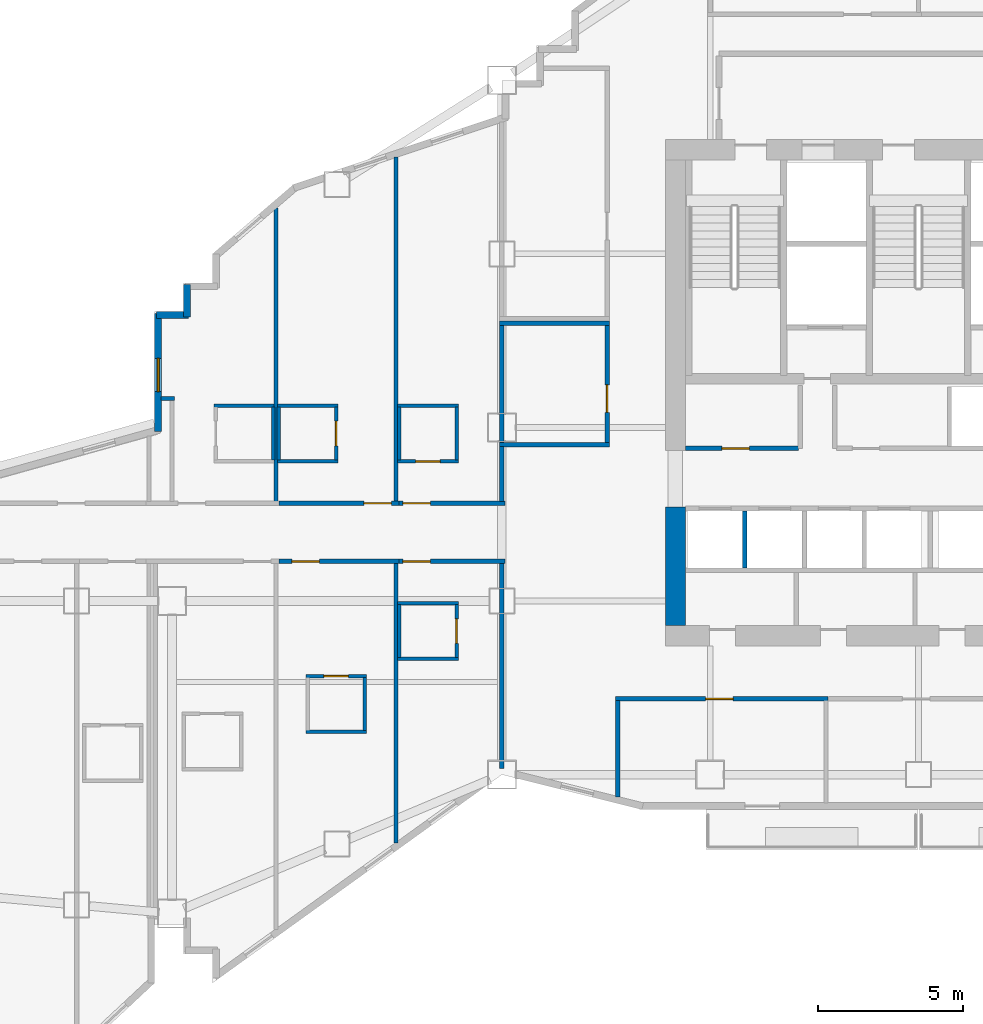
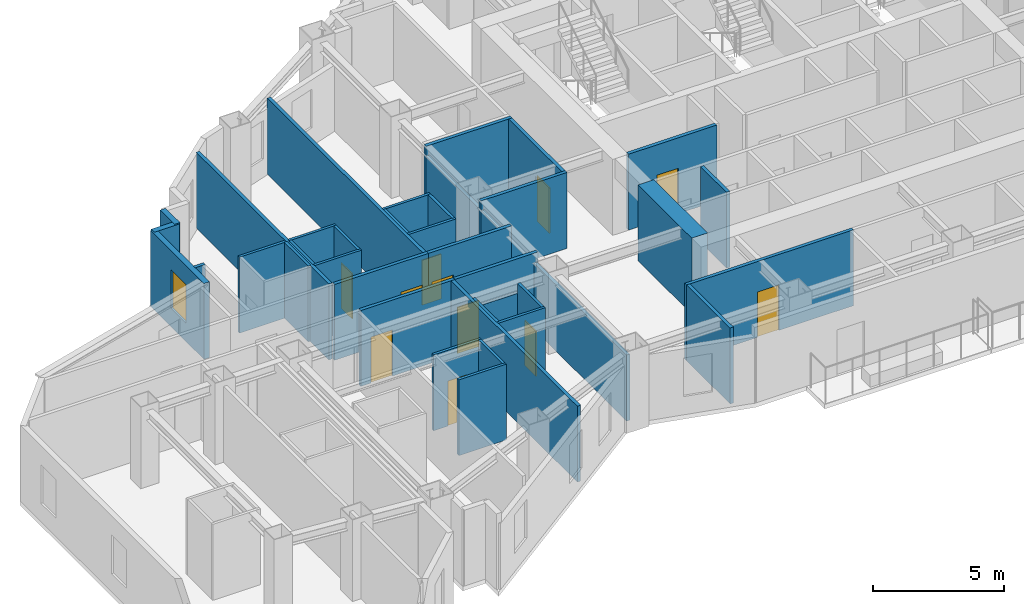
# One storey, part 8 of 15: 39 walls, 11 doors, 1 window, 12 openings.
"""IFC4 building model written with IfcOpenShell, lengths in metres."""

from ifc_helpers import new_model, si_unit, direction, frame, frame_2d, origin, place, context, subcontext, project, spatial, rectangle, extrude, material, layer, layer_set, type_object, element, fill, save


model = new_model("IFC4")

# Units and contexts
model_context = context("Model", 3, precision=1e-05, world=origin(), true_north=direction((0.0, 1.0)))
body_context = subcontext(model_context, "Body", "Model", "MODEL_VIEW")
ifc_project = project(units=[si_unit("LENGTHUNIT", "METRE"), si_unit("AREAUNIT", "SQUARE_METRE"), si_unit("VOLUMEUNIT", "CUBIC_METRE"), si_unit("PLANEANGLEUNIT", "RADIAN"), si_unit("MASSUNIT", "GRAM", prefix="KILO")], contexts=[model_context])

# Site, building, storey
site_placement = place(None, origin())
site = spatial("IfcSite", under=ifc_project, at=site_placement, CompositionType="ELEMENT")
building_placement = place(site_placement, origin())
building = spatial("IfcBuilding", under=site, at=building_placement, Name="Haolan Belvedere Tower", CompositionType="ELEMENT")
storey_placement = place(building_placement, frame((0.0, 0.0, 156.199951171875)))
storey = spatial("IfcBuildingStorey", under=building, at=storey_placement, Name="L39", CompositionType="ELEMENT", Elevation=156.199951171875)

# Walls
ifc_material_1 = material(Name="Concrete C60/75", Category="concrete")
ifc_layer_1 = layer(ifc_material_1, 0.699951171875, Name="Concrete C60/75")
ifc_layer_set_1 = layer_set([ifc_layer_1], Name="Concrete C60/75")
wall_type_1 = type_object("IfcWallType", Name="WL-CORE-700", PredefinedType="SHEAR", material=ifc_layer_set_1)
wall_1_placement = place(storey_placement, frame((30.0, 26.75, 0.0), z_axis=(0.0, 0.0, 1.0), x_axis=(0.0, 1.0, 0.0)))
element("IfcWall", 1, at=wall_1_placement, inside=storey, type_object=wall_type_1, Name="L39 central core shear wall WS", PredefinedType="SHEAR", context=body_context, shape_type="SweptSolid", body=[
    extrude(rectangle(XDim=4.10009765625, YDim=0.699951171875, at=frame_2d((2.050048828125, 0.0))), origin(), (0.0, 0.0, 1.0), 3.5400390625),
])
ifc_material_2 = material(Name="Precast concrete C40/50", Category="concrete")
ifc_layer_2 = layer(ifc_material_2, 0.239990234375, Name="Precast concrete C40/50")
ifc_layer_set_2 = layer_set([ifc_layer_2], Name="Precast concrete C40/50")
wall_type_2 = type_object("IfcWallType", Name="WL-EXT-240", PredefinedType="SOLIDWALL", material=ifc_layer_set_2)
wall_2_placement = place(storey_placement, frame((13.1201171875, 38.534912109375, 0.0), z_axis=(0.0, 0.0, 1.0), x_axis=(0.0, -1.0, 0.0)))
element("IfcWall", 2, at=wall_2_placement, inside=storey, type_object=wall_type_2, Name="L39 pale-metal exterior spandrel wall 39.1", PredefinedType="SOLIDWALL", context=body_context, shape_type="SweptSolid", body=[
    extrude(rectangle(XDim=1.10986328125, YDim=0.239990234375, at=frame_2d((0.554931640625, 0.0))), origin(), (0.0, 0.0, 1.0), 3.5400390625),
])
wall_3_placement = place(storey_placement, frame((13.175048828125, 37.47998046875, 0.0), z_axis=(0.0, 0.0, 1.0), x_axis=(-1.0, 0.0, 0.0)))
element("IfcWall", 3, at=wall_3_placement, inside=storey, type_object=wall_type_2, Name="L39 pale-metal exterior spandrel wall 40.1", PredefinedType="SOLIDWALL", context=body_context, shape_type="SweptSolid", body=[
    extrude(rectangle(XDim=1.110107421875, YDim=0.239990234375, at=frame_2d((0.55517578125, 0.0))), origin(), (0.0, 0.0, 1.0), 3.5400390625),
])

# Wall, opening, window
wall_4_placement = place(storey_placement, frame((12.1201171875, 37.534912109375, 0.0), z_axis=(0.0, 0.0, 1.0), x_axis=(0.0, -1.0, 0.0)))
wall_4 = element("IfcWall", 4, at=wall_4_placement, inside=storey, type_object=wall_type_2, Name="L39 pale-metal exterior spandrel wall 41.1", PredefinedType="SOLIDWALL", context=body_context, shape_type="SweptSolid", body=[
    extrude(rectangle(XDim=4.0810546875, YDim=0.239990234375, at=frame_2d((2.04052734375, 0.0))), origin(), (0.0, 0.0, 1.0), 3.5400390625),
])
opening_1_placement = place(wall_4_placement, frame((1.550048828125, 0.0, 0.85009765625)))
opening_1 = element("IfcOpeningElement", 5, at=opening_1_placement, cuts=wall_4, Name="Opening W-02", PredefinedType="OPENING", context=body_context, shape_type="SweptSolid", body=[
    extrude(rectangle(XDim=1.14990234375, YDim=1.800048828125, at=frame_2d((0.574951171875, 0.89990234375))), frame((0.0, 0.1298828125, 0.0), z_axis=(0.0, -1.0, 0.0), x_axis=(1.0, 0.0, 0.0)), (0.0, 0.0, 1.0), 0.260009765625),
])
ifc_material_3 = material(Name="Anodised aluminium 6063-T6 and Low-E glass", Category="aluminium")
window_type = type_object("IfcWindowType", Name="WN-DECO-Z2", PartitioningType="SINGLE_PANEL", PredefinedType="WINDOW", material=ifc_material_3)
window_placement = place(opening_1_placement, origin())
window = element("IfcWindow", 6, at=window_placement, inside=storey, type_object=window_type, Name="L39 Art Deco chevron window 1", OverallHeight=1.800048828125, OverallWidth=1.14990234375, PartitioningType="SINGLE_PANEL", PredefinedType="WINDOW", context=body_context, shape_type="SweptSolid", body=[
    extrude(rectangle(XDim=1.14990234375, YDim=1.800048828125, at=frame_2d((0.574951171875, 0.89990234375))), frame((0.0, 0.030029296875, 0.0), z_axis=(0.0, -1.0, 0.0), x_axis=(1.0, 0.0, 0.0)), (0.0, 0.0, 1.0), 0.06005859375),
])
fill(opening_1, window)

# Walls
ifc_material_4 = material(Name="Double gypsum acoustic stud partition", Category="masonry")
ifc_layer_3 = layer(ifc_material_4, 0.14990234375, Name="Double gypsum acoustic stud partition")
ifc_layer_set_3 = layer_set([ifc_layer_3], Name="Double gypsum acoustic stud partition")
wall_type_3 = type_object("IfcWallType", Name="WL-PART-150", PredefinedType="PARTITIONING", material=ifc_layer_set_3)
for number, where, z_axis, x_axis, name in (
    (7, (23.919921875, 37.199951171875, 0.0), (0.0, 0.0, 1.0), (1.0, 0.0, 0.0), "L39 interior partition IW-L39-HSK-N"),
    (8, (23.919921875, 33.0, 0.0), (0.0, 0.0, 1.0), (1.0, 0.0, 0.0), "L39 interior partition IW-L39-HSK-S"),
):
    element("IfcWall", number, at=place(storey_placement, frame(where, z_axis=z_axis, x_axis=x_axis)), inside=storey, type_object=wall_type_3, Name=name, PredefinedType="PARTITIONING", context=body_context, shape_type="SweptSolid", body=[
        extrude(rectangle(XDim=3.800048828125, YDim=0.14990234375, at=frame_2d((1.89990234375, 0.0))), origin(), (0.0, 0.0, 1.0), 3.5400390625),
    ])
wall_5_placement = place(storey_placement, frame((24.0, 33.06005859375, 0.0), z_axis=(0.0, 0.0, 1.0), x_axis=(0.0, 1.0, 0.0)))
element("IfcWall", 9, at=wall_5_placement, inside=storey, type_object=wall_type_3, Name="L39 interior partition IW-L39-HSK-W", PredefinedType="PARTITIONING", context=body_context, shape_type="SweptSolid", body=[
    extrude(rectangle(XDim=4.079833984375, YDim=0.14990234375, at=frame_2d((2.0400390625, 0.0))), origin(), (0.0, 0.0, 1.0), 3.0849609375),
])

# Wall, opening, door
wall_6_placement = place(storey_placement, frame((27.639892578125, 33.06005859375, 0.0), z_axis=(0.0, 0.0, 1.0), x_axis=(0.0, 1.0, 0.0)))
wall_6 = element("IfcWall", 10, at=wall_6_placement, inside=storey, type_object=wall_type_3, Name="L39 interior partition IW-L39-HSK-E", PredefinedType="PARTITIONING", context=body_context, shape_type="SweptSolid", body=[
    extrude(rectangle(XDim=4.079833984375, YDim=0.14990234375, at=frame_2d((2.0400390625, 0.0))), origin(), (0.0, 0.0, 1.0), 3.5400390625),
])
opening_2_placement = place(wall_6_placement, frame((2.010009765625, 0.0, 0.0), z_axis=(0.0, 0.0, 1.0), x_axis=(-1.0, 0.0, 0.0)))
opening_2 = element("IfcOpeningElement", 11, at=opening_2_placement, cuts=wall_6, Name="Opening ID-03", PredefinedType="OPENING", context=body_context, shape_type="SweptSolid", body=[
    extrude(rectangle(XDim=0.949951171875, YDim=2.1201171875, at=frame_2d((0.47509765625, 1.06005859375))), frame((0.0, 0.0849609375, 0.0), z_axis=(0.0, -1.0, 0.0), x_axis=(1.0, 0.0, 0.0)), (0.0, 0.0, 1.0), 0.169921875),
])
ifc_material_5 = material(Name="Painted solid-core timber", Category="wood")
door_type_1 = type_object("IfcDoorType", Name="DR-INT-950", OperationType="NOTDEFINED", PredefinedType="DOOR", material=ifc_material_5)
door_1_placement = place(opening_2_placement, origin())
door_1 = element("IfcDoor", 12, at=door_1_placement, inside=storey, type_object=door_type_1, Name="L39 door ID-L39-HSK", OperationType="SINGLE_SWING_LEFT", OverallHeight=2.1201171875, OverallWidth=0.949951171875, PredefinedType="DOOR", context=body_context, shape_type="SweptSolid", body=[
    extrude(rectangle(XDim=0.949951171875, YDim=2.1201171875, at=frame_2d((0.47509765625, 1.06005859375))), frame((0.0, 0.02490234375, 0.0), z_axis=(0.0, -1.0, 0.0), x_axis=(1.0, 0.0, 0.0)), (0.0, 0.0, 1.0), 0.050048828125),
])
fill(opening_2, door_1)

wall_7_placement = place(storey_placement, frame((27.919921875, 24.219970703125, 0.0), z_axis=(0.0, 0.0, 1.0), x_axis=(1.0, 0.0, 0.0)))
wall_7 = element("IfcWall", 13, at=wall_7_placement, inside=storey, type_object=wall_type_3, Name="L39 interior partition IW-L39-KS2-N", PredefinedType="PARTITIONING", context=body_context, shape_type="SweptSolid", body=[
    extrude(rectangle(XDim=7.360107421875, YDim=0.14990234375, at=frame_2d((3.68017578125, 0.0))), origin(), (0.0, 0.0, 1.0), 3.5400390625),
])
opening_3_placement = place(wall_7_placement, frame((4.074951171875, 0.0, 0.0), z_axis=(0.0, 0.0, 1.0), x_axis=(-1.0, 0.0, 0.0)))
opening_3 = element("IfcOpeningElement", 14, at=opening_3_placement, cuts=wall_7, Name="Opening ID-03", PredefinedType="OPENING", context=body_context, shape_type="SweptSolid", body=[
    extrude(rectangle(XDim=0.949951171875, YDim=2.1201171875, at=frame_2d((0.47509765625, 1.06005859375))), frame((0.0, 0.0849609375, 0.0), z_axis=(0.0, -1.0, 0.0), x_axis=(1.0, 0.0, 0.0)), (0.0, 0.0, 1.0), 0.169921875),
])
door_2_placement = place(opening_3_placement, origin())
door_2 = element("IfcDoor", 15, at=door_2_placement, inside=storey, type_object=door_type_1, Name="L39 door ID-L39-KS2", OperationType="SINGLE_SWING_RIGHT", OverallHeight=2.1201171875, OverallWidth=0.949951171875, PredefinedType="DOOR", context=body_context, shape_type="SweptSolid", body=[
    extrude(rectangle(XDim=0.949951171875, YDim=2.1201171875, at=frame_2d((0.47509765625, 1.06005859375))), frame((0.0, 0.02490234375, 0.0), z_axis=(0.0, -1.0, 0.0), x_axis=(1.0, 0.0, 0.0)), (0.0, 0.0, 1.0), 0.050048828125),
])
fill(opening_3, door_2)

# Walls
wall_8_placement = place(storey_placement, frame((28.0, 20.83203125, 0.0), z_axis=(0.0, 0.0, 1.0), x_axis=(0.0, 1.0, 0.0)))
element("IfcWall", 16, at=wall_8_placement, inside=storey, type_object=wall_type_3, Name="L39 interior partition IW-L39-KS2-W", PredefinedType="PARTITIONING", context=body_context, shape_type="SweptSolid", body=[
    extrude(rectangle(XDim=3.327880859375, YDim=0.14990234375, at=frame_2d((1.6640625, 0.0))), origin(), (0.0, 0.0, 1.0), 3.5400390625),
])
wall_9_placement = place(storey_placement, frame((16.18994140625, 31.0400390625, 0.0), z_axis=(0.0, 0.0, 1.0), x_axis=(0.0, 1.0, 0.0)))
element("IfcWall", 17, at=wall_9_placement, inside=storey, type_object=wall_type_3, Name="L39 interior partition IW-L39-T2N1-E", PredefinedType="PARTITIONING", context=body_context, shape_type="SweptSolid", body=[
    extrude(rectangle(XDim=10.140869140625, YDim=0.14990234375, at=frame_2d((5.0703125, 0.0))), origin(), (0.0, 0.0, 1.0), 3.5400390625),
])

# Wall, opening, door
wall_10_placement = place(storey_placement, frame((16.2919921875, 30.97998046875, 0.0), z_axis=(0.0, 0.0, 1.0), x_axis=(1.0, 0.0, 0.0)))
wall_10 = element("IfcWall", 18, at=wall_10_placement, inside=storey, type_object=wall_type_3, Name="L39 interior partition IW-L39-T2N2-S", PredefinedType="PARTITIONING", context=body_context, shape_type="SweptSolid", body=[
    extrude(rectangle(XDim=4.14794921875, YDim=0.14990234375, at=frame_2d((2.073974609375, 0.0))), origin(), (0.0, 0.0, 1.0), 3.5400390625),
])
opening_4_placement = place(wall_10_placement, frame((2.935302734375, 0.0, 0.0)))
opening_4 = element("IfcOpeningElement", 19, at=opening_4_placement, cuts=wall_10, Name="Opening ID-02", PredefinedType="OPENING", context=body_context, shape_type="SweptSolid", body=[
    extrude(rectangle(XDim=0.949951171875, YDim=2.14990234375, at=frame_2d((0.47509765625, 1.074951171875))), frame((0.0, 0.0849609375, 0.0), z_axis=(0.0, -1.0, 0.0), x_axis=(1.0, 0.0, 0.0)), (0.0, 0.0, 1.0), 0.169921875),
])
ifc_material_6 = material(Name="Acoustic oak veneer fire-rated timber", Category="wood")
door_type_2 = type_object("IfcDoorType", Name="DR-GUEST-950", OperationType="NOTDEFINED", PredefinedType="DOOR", material=ifc_material_6)
door_3_placement = place(opening_4_placement, origin())
door_3 = element("IfcDoor", 20, at=door_3_placement, inside=storey, type_object=door_type_2, Name="L39 door ID-L39-T2N2-ENT", OperationType="SINGLE_SWING_RIGHT", OverallHeight=2.14990234375, OverallWidth=0.949951171875, PredefinedType="DOOR", context=body_context, shape_type="SweptSolid", body=[
    extrude(rectangle(XDim=0.949951171875, YDim=2.14990234375, at=frame_2d((0.47509765625, 1.074951171875))), frame((0.0, 0.02490234375, 0.0), z_axis=(0.0, -1.0, 0.0), x_axis=(1.0, 0.0, 0.0)), (0.0, 0.0, 1.0), 0.050048828125),
])
fill(opening_4, door_3)

# Wall
wall_11_placement = place(storey_placement, frame((20.340087890625, 31.0400390625, 0.0), z_axis=(0.0, 0.0, 1.0), x_axis=(0.0, 1.0, 0.0)))
element("IfcWall", 21, at=wall_11_placement, inside=storey, type_object=wall_type_3, Name="L39 interior partition IW-L39-T2N2-E", PredefinedType="PARTITIONING", context=body_context, shape_type="SweptSolid", body=[
    extrude(rectangle(XDim=11.90283203125, YDim=0.14990234375, at=frame_2d((5.951416015625, 0.0))), origin(), (0.0, 0.0, 1.0), 3.5400390625),
])

# Wall, opening, door
wall_12_placement = place(storey_placement, frame((20.44189453125, 30.97998046875, 0.0), z_axis=(0.0, 0.0, 1.0), x_axis=(1.0, 0.0, 0.0)))
wall_12 = element("IfcWall", 22, at=wall_12_placement, inside=storey, type_object=wall_type_3, Name="L39 interior partition IW-L39-T2N3-S", PredefinedType="PARTITIONING", context=body_context, shape_type="SweptSolid", body=[
    extrude(rectangle(XDim=3.658203125, YDim=0.14990234375, at=frame_2d((1.8291015625, 0.0))), origin(), (0.0, 0.0, 1.0), 3.5400390625),
])
opening_5_placement = place(wall_12_placement, frame((0.139892578125, 0.0, 0.0)))
opening_5 = element("IfcOpeningElement", 23, at=opening_5_placement, cuts=wall_12, Name="Opening ID-02", PredefinedType="OPENING", context=body_context, shape_type="SweptSolid", body=[
    extrude(rectangle(XDim=0.949951171875, YDim=2.14990234375, at=frame_2d((0.47509765625, 1.074951171875))), frame((0.0, 0.0849609375, 0.0), z_axis=(0.0, -1.0, 0.0), x_axis=(1.0, 0.0, 0.0)), (0.0, 0.0, 1.0), 0.169921875),
])
door_4_placement = place(opening_5_placement, origin())
door_4 = element("IfcDoor", 24, at=door_4_placement, inside=storey, type_object=door_type_2, Name="L39 door ID-L39-T2N3-ENT", OperationType="SINGLE_SWING_LEFT", OverallHeight=2.14990234375, OverallWidth=0.949951171875, PredefinedType="DOOR", context=body_context, shape_type="SweptSolid", body=[
    extrude(rectangle(XDim=0.949951171875, YDim=2.14990234375, at=frame_2d((0.47509765625, 1.074951171875))), frame((0.0, 0.02490234375, 0.0), z_axis=(0.0, -1.0, 0.0), x_axis=(1.0, 0.0, 0.0)), (0.0, 0.0, 1.0), 0.050048828125),
])
fill(opening_5, door_4)

# Wall
wall_13_placement = place(storey_placement, frame((24.0, 31.0400390625, 0.0), z_axis=(0.0, 0.0, 1.0), x_axis=(0.0, 1.0, 0.0)))
element("IfcWall", 25, at=wall_13_placement, inside=storey, type_object=wall_type_3, Name="L39 interior partition IW-L39-T2N3-E", PredefinedType="PARTITIONING", context=body_context, shape_type="SweptSolid", body=[
    extrude(rectangle(XDim=1.89990234375, YDim=0.14990234375, at=frame_2d((0.949951171875, 0.0))), origin(), (0.0, 0.0, 1.0), 3.0849609375),
])

# Wall, opening, door
wall_14_placement = place(storey_placement, frame((16.2919921875, 28.969970703125, 0.0), z_axis=(0.0, 0.0, 1.0), x_axis=(1.0, 0.0, 0.0)))
wall_14 = element("IfcWall", 26, at=wall_14_placement, inside=storey, type_object=wall_type_3, Name="L39 interior partition IW-L39-T2S2-N", PredefinedType="PARTITIONING", context=body_context, shape_type="SweptSolid", body=[
    extrude(rectangle(XDim=4.14794921875, YDim=0.14990234375, at=frame_2d((2.073974609375, 0.0))), origin(), (0.0, 0.0, 1.0), 3.5400390625),
])
opening_6_placement = place(wall_14_placement, frame((1.395751953125, 0.0, 0.0), z_axis=(0.0, 0.0, 1.0), x_axis=(-1.0, 0.0, 0.0)))
opening_6 = element("IfcOpeningElement", 27, at=opening_6_placement, cuts=wall_14, Name="Opening ID-02", PredefinedType="OPENING", context=body_context, shape_type="SweptSolid", body=[
    extrude(rectangle(XDim=0.949951171875, YDim=2.14990234375, at=frame_2d((0.47509765625, 1.074951171875))), frame((0.0, 0.0849609375, 0.0), z_axis=(0.0, -1.0, 0.0), x_axis=(1.0, 0.0, 0.0)), (0.0, 0.0, 1.0), 0.169921875),
])
door_5_placement = place(opening_6_placement, origin())
door_5 = element("IfcDoor", 28, at=door_5_placement, inside=storey, type_object=door_type_2, Name="L39 door ID-L39-T2S2-ENT", OperationType="SINGLE_SWING_LEFT", OverallHeight=2.14990234375, OverallWidth=0.949951171875, PredefinedType="DOOR", context=body_context, shape_type="SweptSolid", body=[
    extrude(rectangle(XDim=0.949951171875, YDim=2.14990234375, at=frame_2d((0.47509765625, 1.074951171875))), frame((0.0, 0.02490234375, 0.0), z_axis=(0.0, -1.0, 0.0), x_axis=(1.0, 0.0, 0.0)), (0.0, 0.0, 1.0), 0.050048828125),
])
fill(opening_6, door_5)

# Wall
wall_15_placement = place(storey_placement, frame((20.340087890625, 19.241943359375, 0.0), z_axis=(0.0, 0.0, 1.0), x_axis=(0.0, 1.0, 0.0)))
element("IfcWall", 29, at=wall_15_placement, inside=storey, type_object=wall_type_3, Name="L39 interior partition IW-L39-T2S2-E", PredefinedType="PARTITIONING", context=body_context, shape_type="SweptSolid", body=[
    extrude(rectangle(XDim=9.66796875, YDim=0.14990234375, at=frame_2d((4.833984375, 0.0))), origin(), (0.0, 0.0, 1.0), 3.5400390625),
])

# Wall, opening, door
wall_16_placement = place(storey_placement, frame((20.44189453125, 28.969970703125, 0.0), z_axis=(0.0, 0.0, 1.0), x_axis=(1.0, 0.0, 0.0)))
wall_16 = element("IfcWall", 30, at=wall_16_placement, inside=storey, type_object=wall_type_3, Name="L39 interior partition IW-L39-T2S3-N", PredefinedType="PARTITIONING", context=body_context, shape_type="SweptSolid", body=[
    extrude(rectangle(XDim=3.658203125, YDim=0.14990234375, at=frame_2d((1.8291015625, 0.0))), origin(), (0.0, 0.0, 1.0), 3.5400390625),
])
opening_7_placement = place(wall_16_placement, frame((1.08984375, 0.0, 0.0), z_axis=(0.0, 0.0, 1.0), x_axis=(-1.0, 0.0, 0.0)))
opening_7 = element("IfcOpeningElement", 31, at=opening_7_placement, cuts=wall_16, Name="Opening ID-02", PredefinedType="OPENING", context=body_context, shape_type="SweptSolid", body=[
    extrude(rectangle(XDim=0.949951171875, YDim=2.14990234375, at=frame_2d((0.47509765625, 1.074951171875))), frame((0.0, 0.0849609375, 0.0), z_axis=(0.0, -1.0, 0.0), x_axis=(1.0, 0.0, 0.0)), (0.0, 0.0, 1.0), 0.169921875),
])
door_6_placement = place(opening_7_placement, origin())
door_6 = element("IfcDoor", 32, at=door_6_placement, inside=storey, type_object=door_type_2, Name="L39 door ID-L39-T2S3-ENT", OperationType="SINGLE_SWING_RIGHT", OverallHeight=2.14990234375, OverallWidth=0.949951171875, PredefinedType="DOOR", context=body_context, shape_type="SweptSolid", body=[
    extrude(rectangle(XDim=0.949951171875, YDim=2.14990234375, at=frame_2d((0.47509765625, 1.074951171875))), frame((0.0, 0.02490234375, 0.0), z_axis=(0.0, -1.0, 0.0), x_axis=(1.0, 0.0, 0.0)), (0.0, 0.0, 1.0), 0.050048828125),
])
fill(opening_7, door_6)

# Walls
wall_17_placement = place(storey_placement, frame((24.0, 21.818603515625, 0.0), z_axis=(0.0, 0.0, 1.0), x_axis=(0.0, 1.0, 0.0)))
element("IfcWall", 33, at=wall_17_placement, inside=storey, type_object=wall_type_3, Name="L39 interior partition IW-L39-T2S3-E", PredefinedType="PARTITIONING", context=body_context, shape_type="SweptSolid", body=[
    extrude(rectangle(XDim=7.09130859375, YDim=0.14990234375, at=frame_2d((3.545654296875, 0.0))), origin(), (0.0, 0.0, 1.0), 3.0849609375),
])
wall_18_placement = place(storey_placement, frame((12.22509765625, 34.60009765625, 0.0), z_axis=(0.0, 0.0, 1.0), x_axis=(1.0, 0.0, 0.0)))
element("IfcWall", 34, at=wall_18_placement, inside=storey, type_object=wall_type_3, Name="L39 interior partition IW-L39-T1N1-N", PredefinedType="PARTITIONING", context=body_context, shape_type="SweptSolid", body=[
    extrude(rectangle(XDim=0.454833984375, YDim=0.14990234375, at=frame_2d((0.2275390625, 0.0))), origin(), (0.0, 0.0, 1.0), 3.5400390625),
])

# Wall, opening, door
ifc_material_7 = material(Name="Gypsum fire shaftwall assembly", Category="masonry")
ifc_layer_4 = layer(ifc_material_7, 0.1650390625, Name="Gypsum fire shaftwall assembly")
ifc_layer_set_4 = layer_set([ifc_layer_4], Name="Gypsum fire shaftwall assembly")
wall_type_4 = type_object("IfcWallType", Name="WL-SHAFT-160", PredefinedType="SOLIDWALL", material=ifc_layer_set_4)
wall_19_placement = place(storey_placement, frame((30.35009765625, 32.8798828125, 0.0), z_axis=(0.0, 0.0, 1.0), x_axis=(1.0, 0.0, 0.0)))
wall_19 = element("IfcWall", 35, at=wall_19_placement, inside=storey, type_object=wall_type_4, Name="L39 interior partition IW-L39-ROW-PN1", PredefinedType="SOLIDWALL", context=body_context, shape_type="SweptSolid", body=[
    extrude(rectangle(XDim=3.89990234375, YDim=0.159912109375, at=frame_2d((1.949951171875, 0.0))), origin(), (0.0, 0.0, 1.0), 3.5400390625),
])
opening_8_placement = place(wall_19_placement, frame((2.199951171875, 0.0, 0.0), z_axis=(0.0, 0.0, 1.0), x_axis=(-1.0, 0.0, 0.0)))
opening_8 = element("IfcOpeningElement", 36, at=opening_8_placement, cuts=wall_19, Name="Opening ID-03", PredefinedType="OPENING", context=body_context, shape_type="SweptSolid", body=[
    extrude(rectangle(XDim=0.949951171875, YDim=2.1201171875, at=frame_2d((0.47509765625, 1.06005859375))), frame((0.0, 0.08984375, 0.0), z_axis=(0.0, -1.0, 0.0), x_axis=(1.0, 0.0, 0.0)), (0.0, 0.0, 1.0), 0.179931640625),
])
door_7_placement = place(opening_8_placement, origin())
door_7 = element("IfcDoor", 37, at=door_7_placement, inside=storey, type_object=door_type_1, Name="L39 door ID-L39-CD-RPLW", OperationType="SINGLE_SWING_LEFT", OverallHeight=2.1201171875, OverallWidth=0.949951171875, PredefinedType="DOOR", context=body_context, shape_type="SweptSolid", body=[
    extrude(rectangle(XDim=0.949951171875, YDim=2.1201171875, at=frame_2d((0.47509765625, 1.06005859375))), frame((0.0, 0.02490234375, 0.0), z_axis=(0.0, -1.0, 0.0), x_axis=(1.0, 0.0, 0.0)), (0.0, 0.0, 1.0), 0.050048828125),
])
fill(opening_8, door_7)

# Walls
wall_20_placement = place(storey_placement, frame((32.39990234375, 28.735107421875, 0.0), z_axis=(0.0, 0.0, 1.0), x_axis=(0.0, 1.0, 0.0)))
element("IfcWall", 38, at=wall_20_placement, inside=storey, type_object=wall_type_4, Name="L39 interior partition IW-L39-DIV-PM1", PredefinedType="SOLIDWALL", context=body_context, shape_type="SweptSolid", body=[
    extrude(rectangle(XDim=1.98486328125, YDim=0.14990234375, at=frame_2d((0.992431640625, 0.0))), origin(), (0.0, 0.0, 1.0), 3.5400390625),
])
ifc_material_8 = material(Name="Moisture-resistant gypsum tile partition", Category="masonry")
ifc_layer_5 = layer(ifc_material_8, 0.1201171875, Name="Moisture-resistant gypsum tile partition")
ifc_layer_set_5 = layer_set([ifc_layer_5], Name="Moisture-resistant gypsum tile partition")
wall_type_5 = type_object("IfcWallType", Name="WL-WET-120", PredefinedType="PARTITIONING", material=ifc_layer_set_5)
wall_21_placement = place(storey_placement, frame((14.050048828125, 34.35009765625, 0.0), z_axis=(0.0, 0.0, 1.0), x_axis=(1.0, 0.0, 0.0)))
element("IfcWall", 39, at=wall_21_placement, inside=storey, type_object=wall_type_5, Name="L39 interior partition IW-L39-T2N1-BN", PredefinedType="PARTITIONING", context=body_context, shape_type="SweptSolid", body=[
    extrude(rectangle(XDim=2.079833984375, YDim=0.1201171875, at=frame_2d((1.0400390625, 0.0))), origin(), (0.0, 0.0, 1.0), 3.5400390625),
])
wall_22_placement = place(storey_placement, frame((16.090087890625, 32.47509765625, 0.0), z_axis=(0.0, 0.0, 1.0), x_axis=(0.0, 1.0, 0.0)))
element("IfcWall", 40, at=wall_22_placement, inside=storey, type_object=wall_type_5, Name="L39 interior partition IW-L39-T2N1-BE", PredefinedType="PARTITIONING", context=body_context, shape_type="SweptSolid", body=[
    extrude(rectangle(XDim=1.829833984375, YDim=0.1201171875, at=frame_2d((0.9150390625, 0.0))), origin(), (0.0, 0.0, 1.0), 3.5400390625),
])
for number, where, z_axis, x_axis, name in (
    (41, (16.25, 34.35009765625, 0.0), (0.0, 0.0, 1.0), (1.0, 0.0, 0.0), "L39 interior partition IW-L39-T2N2-BN"),
    (42, (16.25, 32.429931640625, 0.0), (0.0, 0.0, 1.0), (1.0, 0.0, 0.0), "L39 interior partition IW-L39-T2N2-BS"),
):
    element("IfcWall", number, at=place(storey_placement, frame(where, z_axis=z_axis, x_axis=x_axis)), inside=storey, type_object=wall_type_5, Name=name, PredefinedType="PARTITIONING", context=body_context, shape_type="SweptSolid", body=[
        extrude(rectangle(XDim=2.080078125, YDim=0.1201171875, at=frame_2d((1.0400390625, 0.0))), origin(), (0.0, 0.0, 1.0), 3.5400390625),
    ])
wall_23_placement = place(storey_placement, frame((16.2900390625, 32.47509765625, 0.0), z_axis=(0.0, 0.0, 1.0), x_axis=(0.0, 1.0, 0.0)))
element("IfcWall", 43, at=wall_23_placement, inside=storey, type_object=wall_type_5, Name="L39 interior partition IW-L39-T2N2-BW", PredefinedType="PARTITIONING", context=body_context, shape_type="SweptSolid", body=[
    extrude(rectangle(XDim=1.829833984375, YDim=0.1201171875, at=frame_2d((0.9150390625, 0.0))), origin(), (0.0, 0.0, 1.0), 3.5400390625),
])

# Wall, opening, door
wall_24_placement = place(storey_placement, frame((18.27001953125, 32.47509765625, 0.0), z_axis=(0.0, 0.0, 1.0), x_axis=(0.0, 1.0, 0.0)))
wall_24 = element("IfcWall", 44, at=wall_24_placement, inside=storey, type_object=wall_type_5, Name="L39 interior partition IW-L39-T2N2-BE", PredefinedType="PARTITIONING", context=body_context, shape_type="SweptSolid", body=[
    extrude(rectangle(XDim=1.829833984375, YDim=0.1201171875, at=frame_2d((0.9150390625, 0.0))), origin(), (0.0, 0.0, 1.0), 3.5400390625),
])
opening_9_placement = place(wall_24_placement, frame((0.489990234375, 0.0, 0.0)))
opening_9 = element("IfcOpeningElement", 45, at=opening_9_placement, cuts=wall_24, Name="Opening ID-05", PredefinedType="OPENING", context=body_context, shape_type="SweptSolid", body=[
    extrude(rectangle(XDim=0.85009765625, YDim=2.10009765625, at=frame_2d((0.425048828125, 1.050048828125))), frame((0.0, 0.070068359375, 0.0), z_axis=(0.0, -1.0, 0.0), x_axis=(1.0, 0.0, 0.0)), (0.0, 0.0, 1.0), 0.14013671875),
])
ifc_material_9 = material(Name="Moisture-resistant lacquered timber", Category="wood")
door_type_3 = type_object("IfcDoorType", Name="DR-BATH-850", OperationType="NOTDEFINED", PredefinedType="DOOR", material=ifc_material_9)
door_8_placement = place(opening_9_placement, origin())
door_8 = element("IfcDoor", 46, at=door_8_placement, inside=storey, type_object=door_type_3, Name="L39 door ID-L39-T2N2-BATH", OperationType="SINGLE_SWING_LEFT", OverallHeight=2.10009765625, OverallWidth=0.85009765625, PredefinedType="DOOR", context=body_context, shape_type="SweptSolid", body=[
    extrude(rectangle(XDim=0.85009765625, YDim=2.10009765625, at=frame_2d((0.425048828125, 1.050048828125))), frame((0.0, 0.02490234375, 0.0), z_axis=(0.0, -1.0, 0.0), x_axis=(1.0, 0.0, 0.0)), (0.0, 0.0, 1.0), 0.050048828125),
])
fill(opening_9, door_8)

# Wall
wall_25_placement = place(storey_placement, frame((20.39990234375, 34.35009765625, 0.0), z_axis=(0.0, 0.0, 1.0), x_axis=(1.0, 0.0, 0.0)))
element("IfcWall", 47, at=wall_25_placement, inside=storey, type_object=wall_type_5, Name="L39 interior partition IW-L39-T2N3-BN", PredefinedType="PARTITIONING", context=body_context, shape_type="SweptSolid", body=[
    extrude(rectangle(XDim=2.09423828125, YDim=0.1201171875, at=frame_2d((1.047119140625, 0.0))), origin(), (0.0, 0.0, 1.0), 3.5400390625),
])

# Wall, opening, door
wall_26_placement = place(storey_placement, frame((20.39990234375, 32.429931640625, 0.0), z_axis=(0.0, 0.0, 1.0), x_axis=(1.0, 0.0, 0.0)))
wall_26 = element("IfcWall", 48, at=wall_26_placement, inside=storey, type_object=wall_type_5, Name="L39 interior partition IW-L39-T2N3-BS", PredefinedType="PARTITIONING", context=body_context, shape_type="SweptSolid", body=[
    extrude(rectangle(XDim=2.09423828125, YDim=0.1201171875, at=frame_2d((1.047119140625, 0.0))), origin(), (0.0, 0.0, 1.0), 3.5400390625),
])
opening_10_placement = place(wall_26_placement, frame((0.619140625, 0.0, 0.0)))
opening_10 = element("IfcOpeningElement", 49, at=opening_10_placement, cuts=wall_26, Name="Opening ID-05", PredefinedType="OPENING", context=body_context, shape_type="SweptSolid", body=[
    extrude(rectangle(XDim=0.85009765625, YDim=2.10009765625, at=frame_2d((0.425048828125, 1.050048828125))), frame((0.0, 0.070068359375, 0.0), z_axis=(0.0, -1.0, 0.0), x_axis=(1.0, 0.0, 0.0)), (0.0, 0.0, 1.0), 0.14013671875),
])
door_9_placement = place(opening_10_placement, origin())
door_9 = element("IfcDoor", 50, at=door_9_placement, inside=storey, type_object=door_type_3, Name="L39 door ID-L39-T2N3-BATH", OperationType="SINGLE_SWING_RIGHT", OverallHeight=2.10009765625, OverallWidth=0.85009765625, PredefinedType="DOOR", context=body_context, shape_type="SweptSolid", body=[
    extrude(rectangle(XDim=0.85009765625, YDim=2.10009765625, at=frame_2d((0.425048828125, 1.050048828125))), frame((0.0, 0.02490234375, 0.0), z_axis=(0.0, -1.0, 0.0), x_axis=(1.0, 0.0, 0.0)), (0.0, 0.0, 1.0), 0.050048828125),
])
fill(opening_10, door_9)

# Walls
for number, where, z_axis, x_axis, name in (
    (51, (20.4541015625, 32.47509765625, 0.0), (0.0, 0.0, 1.0), (0.0, 1.0, 0.0), "L39 interior partition IW-L39-T2N3-BW"),
    (52, (22.43408203125, 32.47509765625, 0.0), (0.0, 0.0, 1.0), (0.0, 1.0, 0.0), "L39 interior partition IW-L39-T2N3-BE"),
):
    element("IfcWall", number, at=place(storey_placement, frame(where, z_axis=z_axis, x_axis=x_axis)), inside=storey, type_object=wall_type_5, Name=name, PredefinedType="PARTITIONING", context=body_context, shape_type="SweptSolid", body=[
        extrude(rectangle(XDim=1.829833984375, YDim=0.1201171875, at=frame_2d((0.9150390625, 0.0))), origin(), (0.0, 0.0, 1.0), 3.5400390625),
    ])

# Wall, opening, door
wall_27_placement = place(storey_placement, frame((17.222900390625, 25.007080078125, 0.0), z_axis=(0.0, 0.0, 1.0), x_axis=(1.0, 0.0, 0.0)))
wall_27 = element("IfcWall", 53, at=wall_27_placement, inside=storey, type_object=wall_type_5, Name="L39 interior partition IW-L39-T2S2-BN", PredefinedType="PARTITIONING", context=body_context, shape_type="SweptSolid", body=[
    extrude(rectangle(XDim=2.10009765625, YDim=0.1201171875, at=frame_2d((1.050048828125, 0.0))), origin(), (0.0, 0.0, 1.0), 3.5400390625),
])
opening_11_placement = place(wall_27_placement, frame((1.47509765625, 0.0, 0.0), z_axis=(0.0, 0.0, 1.0), x_axis=(-1.0, 0.0, 0.0)))
opening_11 = element("IfcOpeningElement", 54, at=opening_11_placement, cuts=wall_27, Name="Opening ID-05", PredefinedType="OPENING", context=body_context, shape_type="SweptSolid", body=[
    extrude(rectangle(XDim=0.85009765625, YDim=2.10009765625, at=frame_2d((0.425048828125, 1.050048828125))), frame((0.0, 0.070068359375, 0.0), z_axis=(0.0, -1.0, 0.0), x_axis=(1.0, 0.0, 0.0)), (0.0, 0.0, 1.0), 0.14013671875),
])
door_10_placement = place(opening_11_placement, origin())
door_10 = element("IfcDoor", 55, at=door_10_placement, inside=storey, type_object=door_type_3, Name="L39 door ID-L39-T2S2-BATH", OperationType="SINGLE_SWING_RIGHT", OverallHeight=2.10009765625, OverallWidth=0.85009765625, PredefinedType="DOOR", context=body_context, shape_type="SweptSolid", body=[
    extrude(rectangle(XDim=0.85009765625, YDim=2.10009765625, at=frame_2d((0.425048828125, 1.050048828125))), frame((0.0, 0.02490234375, 0.0), z_axis=(0.0, -1.0, 0.0), x_axis=(1.0, 0.0, 0.0)), (0.0, 0.0, 1.0), 0.050048828125),
])
fill(opening_11, door_10)

# Walls
wall_28_placement = place(storey_placement, frame((17.222900390625, 23.0869140625, 0.0), z_axis=(0.0, 0.0, 1.0), x_axis=(1.0, 0.0, 0.0)))
element("IfcWall", 56, at=wall_28_placement, inside=storey, type_object=wall_type_5, Name="L39 interior partition IW-L39-T2S2-BS", PredefinedType="PARTITIONING", context=body_context, shape_type="SweptSolid", body=[
    extrude(rectangle(XDim=2.10009765625, YDim=0.1201171875, at=frame_2d((1.050048828125, 0.0))), origin(), (0.0, 0.0, 1.0), 3.5400390625),
])
wall_29_placement = place(storey_placement, frame((19.262939453125, 23.132080078125, 0.0), z_axis=(0.0, 0.0, 1.0), x_axis=(0.0, 1.0, 0.0)))
element("IfcWall", 57, at=wall_29_placement, inside=storey, type_object=wall_type_5, Name="L39 interior partition IW-L39-T2S2-BE", PredefinedType="PARTITIONING", context=body_context, shape_type="SweptSolid", body=[
    extrude(rectangle(XDim=1.829833984375, YDim=0.1201171875, at=frame_2d((0.9150390625, 0.0))), origin(), (0.0, 0.0, 1.0), 3.5400390625),
])
wall_30_placement = place(storey_placement, frame((20.39990234375, 27.52001953125, 0.0), z_axis=(0.0, 0.0, 1.0), x_axis=(1.0, 0.0, 0.0)))
element("IfcWall", 58, at=wall_30_placement, inside=storey, type_object=wall_type_5, Name="L39 interior partition IW-L39-T2S3-BN", PredefinedType="PARTITIONING", context=body_context, shape_type="SweptSolid", body=[
    extrude(rectangle(XDim=2.09521484375, YDim=0.1201171875, at=frame_2d((1.047607421875, 0.0))), origin(), (0.0, 0.0, 1.0), 3.0849609375),
])
wall_31_placement = place(storey_placement, frame((20.39990234375, 25.60009765625, 0.0), z_axis=(0.0, 0.0, 1.0), x_axis=(1.0, 0.0, 0.0)))
element("IfcWall", 59, at=wall_31_placement, inside=storey, type_object=wall_type_5, Name="L39 interior partition IW-L39-T2S3-BS", PredefinedType="PARTITIONING", context=body_context, shape_type="SweptSolid", body=[
    extrude(rectangle(XDim=2.09521484375, YDim=0.1201171875, at=frame_2d((1.047607421875, 0.0))), origin(), (0.0, 0.0, 1.0), 3.5400390625),
])
wall_32_placement = place(storey_placement, frame((20.455078125, 25.64501953125, 0.0), z_axis=(0.0, 0.0, 1.0), x_axis=(0.0, 1.0, 0.0)))
element("IfcWall", 60, at=wall_32_placement, inside=storey, type_object=wall_type_5, Name="L39 interior partition IW-L39-T2S3-BW", PredefinedType="PARTITIONING", context=body_context, shape_type="SweptSolid", body=[
    extrude(rectangle(XDim=1.830078125, YDim=0.1201171875, at=frame_2d((0.9150390625, 0.0))), origin(), (0.0, 0.0, 1.0), 3.5400390625),
])

# Wall, opening, door
wall_33_placement = place(storey_placement, frame((22.43505859375, 25.64501953125, 0.0), z_axis=(0.0, 0.0, 1.0), x_axis=(0.0, 1.0, 0.0)))
wall_33 = element("IfcWall", 61, at=wall_33_placement, inside=storey, type_object=wall_type_5, Name="L39 interior partition IW-L39-T2S3-BE", PredefinedType="PARTITIONING", context=body_context, shape_type="SweptSolid", body=[
    extrude(rectangle(XDim=1.830078125, YDim=0.1201171875, at=frame_2d((0.9150390625, 0.0))), origin(), (0.0, 0.0, 1.0), 3.5400390625),
])
opening_12_placement = place(wall_33_placement, frame((0.489990234375, 0.0, 0.0)))
opening_12 = element("IfcOpeningElement", 62, at=opening_12_placement, cuts=wall_33, Name="Opening ID-05", PredefinedType="OPENING", context=body_context, shape_type="SweptSolid", body=[
    extrude(rectangle(XDim=0.85009765625, YDim=2.10009765625, at=frame_2d((0.425048828125, 1.050048828125))), frame((0.0, 0.070068359375, 0.0), z_axis=(0.0, -1.0, 0.0), x_axis=(1.0, 0.0, 0.0)), (0.0, 0.0, 1.0), 0.14013671875),
])
door_11_placement = place(opening_12_placement, origin())
door_11 = element("IfcDoor", 63, at=door_11_placement, inside=storey, type_object=door_type_3, Name="L39 door ID-L39-T2S3-BATH", OperationType="SINGLE_SWING_LEFT", OverallHeight=2.10009765625, OverallWidth=0.85009765625, PredefinedType="DOOR", context=body_context, shape_type="SweptSolid", body=[
    extrude(rectangle(XDim=0.85009765625, YDim=2.10009765625, at=frame_2d((0.425048828125, 1.050048828125))), frame((0.0, 0.02490234375, 0.0), z_axis=(0.0, -1.0, 0.0), x_axis=(1.0, 0.0, 0.0)), (0.0, 0.0, 1.0), 0.050048828125),
])
fill(opening_12, door_11)

save(model, "model.ifc")
